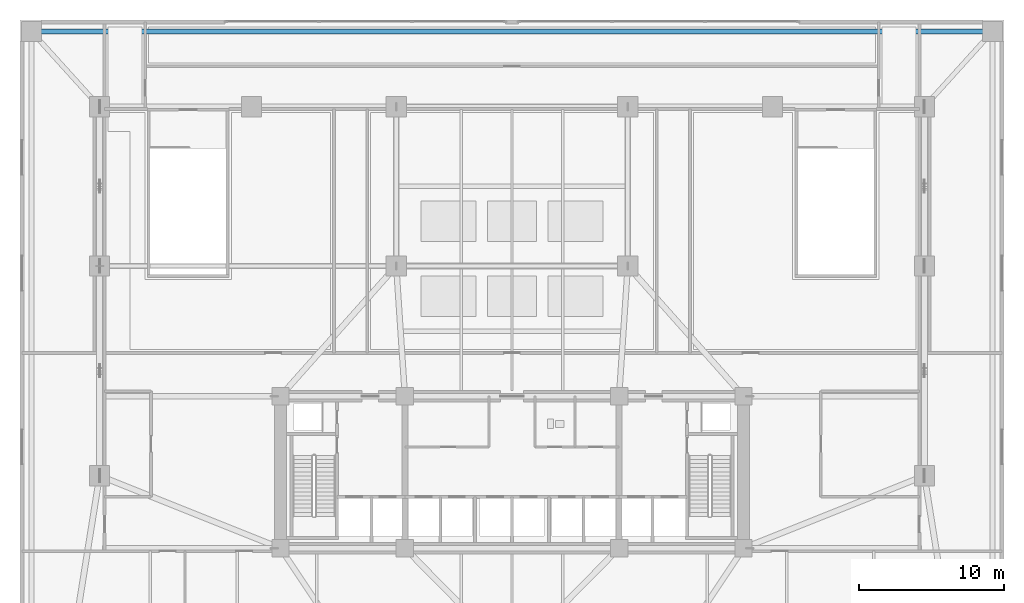
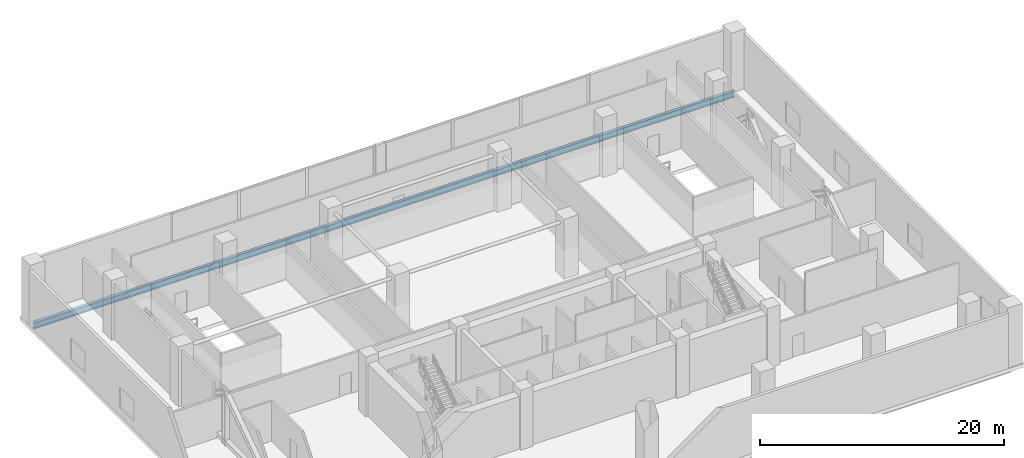
# One storey, part 4 of 16: 1 beam.
"""IFC4 building model written with IfcOpenShell, lengths in metres."""

import ifcopenshell
import ifcopenshell.guid

model = None  # the IFC model being written
_history = None  # IfcOwnerHistory: only IFC2X3 demands one
_inside = {}  # id of a spatial element -> (the spatial element, [elements in it])
_under = {}  # id of a project, library or spatial element -> (it, [spatial elements below it])
_declared = {}  # id of a project -> (the project, [libraries it declares])
_typed = {}  # id of a type object -> (the type object, [elements of that type])
_made_of = {}  # id of a material, layer set ... -> (it, [elements and type objects made of it])


def new_model(schema):
    """Start an empty IFC model of exactly this schema.

    Asked for "IFC4X3", IfcOpenShell would pick the latest addendum, in which some entities
    have other attributes; the version numbers below select the first issue.
    IFC2X3 requires an IfcOwnerHistory on every rooted entity: one is made here for all.
    """
    global model, _history
    if schema == "IFC4X3":
        model = ifcopenshell.file(schema_version=(4, 3, 0, 0))
    else:
        model = ifcopenshell.file(schema=schema)
    _inside.clear()
    _under.clear()
    _declared.clear()
    _typed.clear()
    _made_of.clear()
    _history = None
    if model.schema == "IFC2X3":
        org = make("IfcOrganization", Name="unknown")
        user = make(
            "IfcPersonAndOrganization",
            ThePerson=make("IfcPerson", FamilyName="unknown"),
            TheOrganization=org,
        )
        app = make(
            "IfcApplication",
            ApplicationDeveloper=org,
            Version="unknown",
            ApplicationFullName="unknown",
            ApplicationIdentifier="unknown",
        )
        _history = make(
            "IfcOwnerHistory",
            OwningUser=user,
            OwningApplication=app,
            ChangeAction="ADDED",
            CreationDate=0,
        )
    return model


def make(cls, **values):
    """One entity of the class cls with the attributes given. An attribute that is None is left unset."""
    return model.create_entity(
        cls, **{name: value for name, value in values.items() if value is not None}
    )


def rooted(cls, **values):
    """An entity with a GlobalId (a new one), such as an element, a storey or a relation."""
    return make(cls, GlobalId=ifcopenshell.guid.new(), OwnerHistory=_history, **values)


def si_unit(unit_type, name, prefix=None):
    """IfcSIUnit, for example si_unit("LENGTHUNIT", "METRE", prefix="MILLI")."""
    return make("IfcSIUnit", UnitType=unit_type, Prefix=prefix, Name=name)


def assignment(units):
    """IfcUnitAssignment: the units of a project."""
    return None if units is None else make("IfcUnitAssignment", Units=units)


def point(xyz):
    """IfcCartesianPoint."""
    return None if xyz is None else make("IfcCartesianPoint", Coordinates=xyz)


def direction(xyz):
    """IfcDirection."""
    return None if xyz is None else make("IfcDirection", DirectionRatios=xyz)


def frame(location, z_axis=None, x_axis=None):
    """IfcAxis2Placement3D, a coordinate frame: its origin and axes. An axis left out is left unset."""
    return make(
        "IfcAxis2Placement3D",
        Location=point(location),
        Axis=direction(z_axis),
        RefDirection=direction(x_axis),
    )


def frame_2d(location, x_axis=None):
    """IfcAxis2Placement2D, a coordinate frame in the plane: its origin and x axis."""
    return make(
        "IfcAxis2Placement2D", Location=point(location), RefDirection=direction(x_axis)
    )


def origin():
    """The frame at (0, 0, 0) with its axes left unset."""
    return frame((0.0, 0.0, 0.0))


def origin_2d():
    """The frame at (0, 0) in the plane with its x axis left unset."""
    return frame_2d((0.0, 0.0))


def place(relative_to, where):
    """IfcLocalPlacement: puts the frame where relative to a parent placement (None: the world)."""
    return make(
        "IfcLocalPlacement", PlacementRelTo=relative_to, RelativePlacement=where
    )


def context(
    kind, dimensions, precision=None, world=None, true_north=None, identifier=None
):
    """IfcGeometricRepresentationContext, for example the 3D "Model" context."""
    return make(
        "IfcGeometricRepresentationContext",
        ContextIdentifier=identifier,
        ContextType=kind,
        CoordinateSpaceDimension=dimensions,
        Precision=precision,
        WorldCoordinateSystem=world,
        TrueNorth=true_north,
    )


def subcontext(parent, identifier, kind, view, scale=None):
    """IfcGeometricRepresentationSubContext, for example "Body" below "Model"."""
    return make(
        "IfcGeometricRepresentationSubContext",
        ContextIdentifier=identifier,
        ContextType=kind,
        ParentContext=parent,
        TargetScale=scale,
        TargetView=view,
    )


def project(units=None, contexts=None):
    """IfcProject with its units and contexts."""
    return rooted(
        "IfcProject",
        Name="project",
        RepresentationContexts=contexts,
        UnitsInContext=assignment(units),
    )


def spatial(cls, under=None, at=None, **own):
    """A site, building, storey or space (cls), placed at a placement, below another one or the project."""
    s = rooted(cls, ObjectPlacement=at, **own)
    if under is not None:
        _under.setdefault(under.id(), (under, []))[1].append(s)
    return s


def profile(cls, at=None, kind="AREA", **sizes):
    """A parametric profile (cls). Its sizes go by their IFC names, for example OverallWidth=200.0."""
    return make(cls, ProfileType=kind, Position=at, **sizes)


def i_section(**sizes):
    """IfcIShapeProfileDef."""
    return profile("IfcIShapeProfileDef", **sizes)


def extrude(swept, where, along, depth):
    """IfcExtrudedAreaSolid: the profile swept, set in the frame where, extruded along a direction by depth."""
    return make(
        "IfcExtrudedAreaSolid",
        SweptArea=swept,
        Position=where,
        ExtrudedDirection=direction(along),
        Depth=depth,
    )


def shape(context_of_items, identifier, shape_type, items):
    """IfcShapeRepresentation: the items that make up one representation, for example the "Body"."""
    return make(
        "IfcShapeRepresentation",
        ContextOfItems=context_of_items,
        RepresentationIdentifier=identifier,
        RepresentationType=shape_type,
        Items=items,
    )


def material(Name=None, Category=None):
    """IfcMaterial."""
    return make("IfcMaterial", Name=Name, Category=Category)


def material_profile(
    of_material, cross_section, Name=None, Category=None, Priority=None
):
    """IfcMaterialProfile: a cross section and its material."""
    return make(
        "IfcMaterialProfile",
        Name=Name,
        Material=of_material,
        Profile=cross_section,
        Priority=Priority,
        Category=Category,
    )


def profile_set(profiles, Name=None, composite=None):
    """IfcMaterialProfileSet."""
    return make(
        "IfcMaterialProfileSet",
        Name=Name,
        MaterialProfiles=profiles,
        CompositeProfile=composite,
    )


def made_of(thing, what):
    """Note that an element or type object is made of a material, layer set ...; save() writes the relation."""
    if what is not None:
        _made_of.setdefault(what.id(), (what, []))[1].append(thing)
    return thing


def type_object(cls, material=None, **own):
    """A type object (cls), such as IfcWallType, which elements share."""
    return made_of(rooted(cls, **own), material)


def element(
    cls,
    number,
    at=None,
    inside=None,
    cuts=None,
    type_object=None,
    material=None,
    context=None,
    identifier="Body",
    shape_type=None,
    held_by="IfcProductDefinitionShape",
    body=None,
    shapes=None,
    **own,
):
    """One element of the class cls, such as IfcWall. Its Tag is "e" and its number.

    at: its placement. inside: the storey or other place that contains it. cuts: it is an
    opening in that element (IfcRelVoidsElement). A single representation is given by context,
    identifier, shape_type and body (its items); several are given by shapes. held_by: the class
    of the entity that holds the representations. save() writes the other relations.
    """
    e = rooted(cls, Tag="e%d" % number, ObjectPlacement=at, **own)
    if body is not None:
        shapes = [shape(context, identifier, shape_type, body)]
    if shapes is not None:
        e.Representation = make(held_by, Representations=shapes)
    if inside is not None:
        _inside.setdefault(inside.id(), (inside, []))[1].append(e)
    if cuts is not None:
        rooted(
            "IfcRelVoidsElement", RelatingBuildingElement=cuts, RelatedOpeningElement=e
        )
    if type_object is not None:
        _typed.setdefault(type_object.id(), (type_object, []))[1].append(e)
    return made_of(e, material)


def aggregate(whole, parts):
    """IfcRelAggregates: a whole, such as a stair, and the parts it consists of."""
    return rooted("IfcRelAggregates", RelatingObject=whole, RelatedObjects=parts)


def save(model, path):
    """Write the relations noted so far, then the file.

    IfcRelAggregates (storeys below a building ...), IfcRelContainedInSpatialStructure (elements
    in a storey), IfcRelDefinesByType, IfcRelAssociatesMaterial and IfcRelDeclares: one each for
    every whole, place, type object, material and project.
    """
    for whole, parts in _under.values():
        aggregate(whole, parts)
    for where, things in _inside.values():
        rooted(
            "IfcRelContainedInSpatialStructure",
            RelatedElements=things,
            RelatingStructure=where,
        )
    for kind, things in _typed.values():
        rooted("IfcRelDefinesByType", RelatedObjects=things, RelatingType=kind)
    for what, things in _made_of.values():
        rooted("IfcRelAssociatesMaterial", RelatedObjects=things, RelatingMaterial=what)
    for by, libraries in _declared.values():
        rooted("IfcRelDeclares", RelatingContext=by, RelatedDefinitions=libraries)
    model.write(path)


model = new_model("IFC4")

# Units and contexts
model_context = context("Model", 3, precision=1e-05, world=origin(), true_north=direction((0.0, 1.0)))
body_context = subcontext(model_context, "Body", "Model", "MODEL_VIEW")
ifc_project = project(units=[si_unit("LENGTHUNIT", "METRE"), si_unit("AREAUNIT", "SQUARE_METRE"), si_unit("VOLUMEUNIT", "CUBIC_METRE"), si_unit("PLANEANGLEUNIT", "RADIAN"), si_unit("MASSUNIT", "GRAM", prefix="KILO")], contexts=[model_context])

# Site, building, storey
site_placement = place(None, origin())
site = spatial("IfcSite", under=ifc_project, at=site_placement, CompositionType="ELEMENT")
building_placement = place(site_placement, origin())
building = spatial("IfcBuilding", under=site, at=building_placement, Name="Solmavex Isthmus Hotel", CompositionType="ELEMENT")
storey_placement = place(building_placement, frame((0.0, 0.0, 20.39990234375)))
storey = spatial("IfcBuildingStorey", under=building, at=storey_placement, Name="L05", CompositionType="ELEMENT", Elevation=20.39990234375)

# Beam
ifc_material = material(Name="Steel ASTM A992 Grade 50", Category="steel")
ifc_material_profile = material_profile(ifc_material, i_section(OverallWidth=0.326416015625, OverallDepth=0.621826171875, WebThickness=0.015380859375, FlangeThickness=0.0244140625, FilletRadius=0.01513671875, at=origin_2d()), Name="W24X131")
ifc_profile_set = profile_set([ifc_material_profile], Name="Steel ASTM A992 Grade 50")
beam_type = type_object("IfcBeamType", Name="BM-SP-W24X131", PredefinedType="SPANDREL", material=ifc_profile_set)
beam_placement = place(storey_placement, frame((33.199951171875, 22.699951171875, -0.660888671875), z_axis=(-1.0, 0.0, 0.0), x_axis=(0.0, -1.0, 0.0)))
element("IfcBeam", 1, at=beam_placement, inside=storey, type_object=beam_type, Name="Podium Edge Spandrel L05-SP02", PredefinedType="SPANDREL", context=body_context, shape_type="SweptSolid", body=[
    extrude(i_section(OverallWidth=0.326416015625, OverallDepth=0.621826171875, WebThickness=0.015380859375, FlangeThickness=0.0244140625, FilletRadius=0.01513671875, at=origin_2d()), origin(), (0.0, 0.0, 1.0), 66.39990234375),
])

save(model, "model.ifc")
